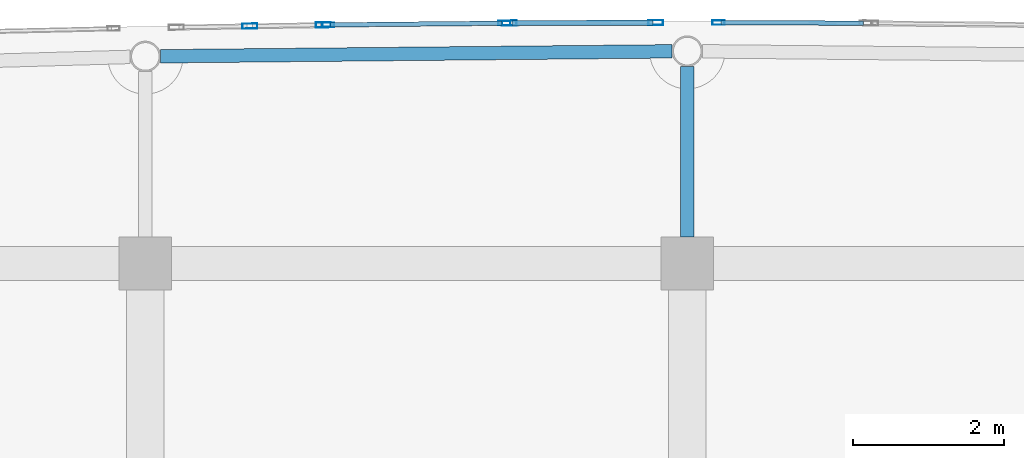
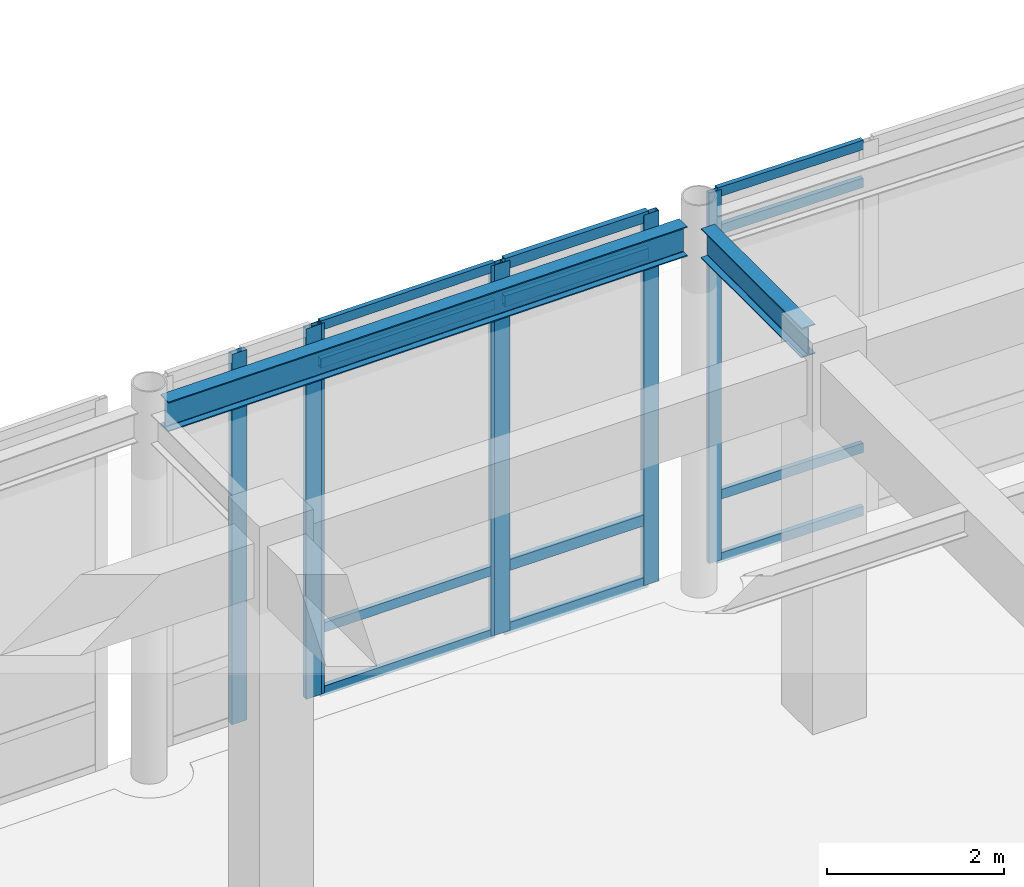
# One storey, part 44 of 102: 19 members, 2 beams, 4 elements without a shape of their own.
"""IFC4 building model written with IfcOpenShell, lengths in metres."""

from ifc_helpers import new_model, si_unit, direction, frame, origin, origin_2d, place, context, subcontext, project, spatial, hollow_rectangle, i_section, extrude, material, layer, layer_set, material_profile, profile_set, type_object, element, aggregate, save


model = new_model("IFC4")

# Units and contexts
model_context = context("Model", 3, precision=1e-05, world=origin(), true_north=direction((0.0, 1.0)))
body_context = subcontext(model_context, "Body", "Model", "MODEL_VIEW")
ifc_project = project(units=[si_unit("LENGTHUNIT", "METRE"), si_unit("AREAUNIT", "SQUARE_METRE"), si_unit("VOLUMEUNIT", "CUBIC_METRE"), si_unit("PLANEANGLEUNIT", "RADIAN"), si_unit("MASSUNIT", "GRAM", prefix="KILO")], contexts=[model_context])

# Site, building, storey
site_placement = place(None, origin())
site = spatial("IfcSite", under=ifc_project, at=site_placement, CompositionType="ELEMENT")
building_placement = place(site_placement, origin())
building = spatial("IfcBuilding", under=site, at=building_placement, Name="Carrowvane Square Congress Hotel", CompositionType="ELEMENT")
storey_placement = place(building_placement, origin())
storey = spatial("IfcBuildingStorey", under=building, at=storey_placement, Name="L00", CompositionType="ELEMENT", Elevation=0.0)

# Beams
ifc_material_1 = material(Name="Steel S355", Category="steel")
ifc_material_profile_1 = material_profile(ifc_material_1, i_section(OverallWidth=0.1787109375, OverallDepth=0.409423828125, WebThickness=0.0087890625, FlangeThickness=0.014404296875, FilletRadius=0.01025390625, at=origin_2d()), Name="UKB 406x178x67")
ifc_profile_set_1 = profile_set([ifc_material_profile_1], Name="Steel S355")
beam_type = type_object("IfcBeamType", Name="BM-ST-UKB406", PredefinedType="BEAM", material=ifc_profile_set_1)
beam_1_placement = place(storey_placement, frame((91.003173828125, 116.15185546875, 4.895263671875), z_axis=(0.999952581816, 0.009738281154, 0.0), x_axis=(-0.009738281154, 0.999952581816, 0.0)))
element("IfcBeam", 1, at=beam_1_placement, inside=storey, type_object=beam_type, Name="L01 curved north spandrel", PredefinedType="BEAM", context=body_context, shape_type="SweptSolid", body=[
    extrude(i_section(OverallWidth=0.1787109375, OverallDepth=0.409423828125, WebThickness=0.0087890625, FlangeThickness=0.014404296875, FilletRadius=0.01025390625, at=origin_2d()), origin(), (0.0, 0.0, 1.0), 6.7939453125),
])
beam_2_placement = place(storey_placement, frame((98.0, 113.75, 4.895263671875), z_axis=(0.0, 1.0, 0.0), x_axis=(-1.0, 0.0, 0.0)))
element("IfcBeam", 2, at=beam_2_placement, inside=storey, type_object=beam_type, Name="L01 radial north beam 13", PredefinedType="BEAM", context=body_context, shape_type="SweptSolid", body=[
    extrude(i_section(OverallWidth=0.1787109375, OverallDepth=0.409423828125, WebThickness=0.0087890625, FlangeThickness=0.014404296875, FilletRadius=0.01025390625, at=origin_2d()), origin(), (0.0, 0.0, 1.0), 2.266845703125),
])

# Curtain wall, members
ifc_material_2 = material(Name="Anodised aluminium", Category="aluminium")
ifc_layer_1 = layer(ifc_material_2, 0.162109375)
ifc_layer_set_1 = layer_set([ifc_layer_1], Name="Anodised aluminium")
curtain_wall_type_1 = type_object("IfcCurtainWallType", Name="CW-SYS-1", PredefinedType="NOTDEFINED", material=ifc_layer_set_1)
curtain_wall_1_placement = place(storey_placement, origin())
curtain_wall_1 = element("IfcCurtainWall", 3, at=curtain_wall_1_placement, inside=storey, type_object=curtain_wall_type_1, Name="L00 unitised curtain wall 24", PredefinedType="NOTDEFINED")
ifc_material_3 = material(Name="Anodised aluminium", Category="aluminium")
ifc_material_profile_2 = material_profile(ifc_material_3, hollow_rectangle(XDim=0.06005859375, YDim=0.159912109375, WallThickness=0.00390625, at=origin_2d()), Name="CW-ML 60x160x4")
ifc_profile_set_2 = profile_set([ifc_material_profile_2], Name="Anodised aluminium")
member_type_1 = type_object("IfcMemberType", Name="CW-MUL-1", PredefinedType="MULLION", material=ifc_profile_set_2)
member_1_placement = place(storey_placement, frame((93.22998046875, 116.56884765625, 0.0), z_axis=(0.0, 0.0, 1.0), x_axis=(-0.009782905924, 0.999952146231, 0.0)))
member_1 = element("IfcMember", 4, at=member_1_placement, type_object=member_type_1, Name="CW-1 mullion 1", PredefinedType="MULLION", context=body_context, shape_type="SweptSolid", body=[
    extrude(hollow_rectangle(XDim=0.06005859375, YDim=0.159912109375, WallThickness=0.00390625, at=origin_2d()), origin(), (0.0, 0.0, 1.0), 5.10009765625),
])
member_2_placement = place(storey_placement, frame((95.570068359375, 116.591796875, 0.0), z_axis=(0.0, 0.0, 1.0), x_axis=(-0.009782905924, 0.999952146231, 0.0)))
member_2 = element("IfcMember", 5, at=member_2_placement, type_object=member_type_1, Name="CW-1 mullion 2", PredefinedType="MULLION", context=body_context, shape_type="SweptSolid", body=[
    extrude(hollow_rectangle(XDim=0.06005859375, YDim=0.159912109375, WallThickness=0.00390625, at=origin_2d()), origin(), (0.0, 0.0, 1.0), 5.10009765625),
])

# Curtain wall, member
ifc_material_4 = material(Name="Anodised aluminium", Category="aluminium")
ifc_layer_2 = layer(ifc_material_4, 0.18603515625)
ifc_layer_set_2 = layer_set([ifc_layer_2], Name="Anodised aluminium")
curtain_wall_type_2 = type_object("IfcCurtainWallType", Name="CW-SYS-3", PredefinedType="NOTDEFINED", material=ifc_layer_set_2)
curtain_wall_2_placement = place(storey_placement, origin())
curtain_wall_2 = element("IfcCurtainWall", 6, at=curtain_wall_2_placement, inside=storey, type_object=curtain_wall_type_2, Name="L00 unitised curtain wall 26", PredefinedType="NOTDEFINED")
member_3_placement = place(storey_placement, frame((98.414794921875, 116.5986328125, 0.0), z_axis=(0.0, 0.0, 1.0), x_axis=(0.003270307911, 0.999994652529, 0.0)))
member_3 = element("IfcMember", 7, at=member_3_placement, type_object=member_type_1, Name="CW-3 mullion 1", PredefinedType="MULLION", context=body_context, shape_type="SweptSolid", body=[
    extrude(hollow_rectangle(XDim=0.06005859375, YDim=0.159912109375, WallThickness=0.00390625, at=origin_2d()), origin(), (0.0, 0.0, 1.0), 5.10009765625),
])

# Curtain wall, members
ifc_material_5 = material(Name="Anodised aluminium", Category="aluminium")
ifc_layer_3 = layer(ifc_material_5, 0.24609375)
ifc_layer_set_3 = layer_set([ifc_layer_3], Name="Anodised aluminium")
curtain_wall_type_3 = type_object("IfcCurtainWallType", Name="CW-SYS-8", PredefinedType="NOTDEFINED", material=ifc_layer_set_3)
curtain_wall_3_placement = place(storey_placement, origin())
curtain_wall_3 = element("IfcCurtainWall", 8, at=curtain_wall_3_placement, inside=storey, type_object=curtain_wall_type_3, Name="L00 unitised curtain wall 23", PredefinedType="NOTDEFINED")
ifc_material_6 = material(Name="Anodised aluminium", Category="aluminium")
ifc_material_profile_3 = material_profile(ifc_material_6, hollow_rectangle(XDim=0.070068359375, YDim=0.199951171875, WallThickness=0.0048828125, at=origin_2d()), Name="CW-ML 70x200x5")
ifc_profile_set_3 = profile_set([ifc_material_profile_3], Name="Anodised aluminium")
member_type_2 = type_object("IfcMemberType", Name="CW-MUL-2", PredefinedType="MULLION", material=ifc_profile_set_3)
member_4_placement = place(storey_placement, frame((92.188720703125, 116.55224609375, 0.0), z_axis=(0.0, 0.0, 1.0), x_axis=(-0.016215981364, 0.99986851233, 0.0)))
member_4 = element("IfcMember", 9, at=member_4_placement, type_object=member_type_2, Name="CW-8 mullion 2", PredefinedType="MULLION", context=body_context, shape_type="SweptSolid", body=[
    extrude(hollow_rectangle(XDim=0.070068359375, YDim=0.199951171875, WallThickness=0.0048828125, at=origin_2d()), origin(), (0.0, 0.0, 1.0), 5.10009765625),
])
member_5_placement = place(storey_placement, frame((93.1650390625, 116.568115234375, 0.0), z_axis=(0.0, 0.0, 1.0), x_axis=(-0.016215981364, 0.99986851233, 0.0)))
member_5 = element("IfcMember", 10, at=member_5_placement, type_object=member_type_2, Name="CW-8 mullion 3", PredefinedType="MULLION", context=body_context, shape_type="SweptSolid", body=[
    extrude(hollow_rectangle(XDim=0.070068359375, YDim=0.199951171875, WallThickness=0.0048828125, at=origin_2d()), origin(), (0.0, 0.0, 1.0), 5.10009765625),
])
aggregate(curtain_wall_3, [member_4, member_5])

ifc_material_7 = material(Name="Anodised aluminium", Category="aluminium")
ifc_layer_4 = layer(ifc_material_7, 0.174072265625)
ifc_layer_set_4 = layer_set([ifc_layer_4], Name="Anodised aluminium")
curtain_wall_type_4 = type_object("IfcCurtainWallType", Name="CW-SYS-2", PredefinedType="NOTDEFINED", material=ifc_layer_set_4)
curtain_wall_4_placement = place(storey_placement, origin())
curtain_wall_4 = element("IfcCurtainWall", 11, at=curtain_wall_4_placement, inside=storey, type_object=curtain_wall_type_4, Name="L00 unitised curtain wall 25", PredefinedType="NOTDEFINED")
member_6_placement = place(storey_placement, frame((95.635009765625, 116.59228515625, 0.0), z_axis=(0.0, 0.0, 1.0), x_axis=(-0.003270307911, 0.999994652529, 0.0)))
member_6 = element("IfcMember", 12, at=member_6_placement, type_object=member_type_2, Name="CW-2 mullion 1", PredefinedType="MULLION", context=body_context, shape_type="SweptSolid", body=[
    extrude(hollow_rectangle(XDim=0.070068359375, YDim=0.199951171875, WallThickness=0.0048828125, at=origin_2d()), origin(), (0.0, 0.0, 1.0), 5.10009765625),
])
member_7_placement = place(storey_placement, frame((97.580078125, 116.5986328125, 0.0), z_axis=(0.0, 0.0, 1.0), x_axis=(-0.003270307911, 0.999994652529, 0.0)))
member_7 = element("IfcMember", 13, at=member_7_placement, type_object=member_type_2, Name="CW-2 mullion 2", PredefinedType="MULLION", context=body_context, shape_type="SweptSolid", body=[
    extrude(hollow_rectangle(XDim=0.070068359375, YDim=0.199951171875, WallThickness=0.0048828125, at=origin_2d()), origin(), (0.0, 0.0, 1.0), 5.10009765625),
])

# Member
ifc_material_8 = material(Name="Anodised aluminium", Category="aluminium")
ifc_material_profile_4 = material_profile(ifc_material_8, hollow_rectangle(XDim=0.06005859375, YDim=0.1298828125, WallThickness=0.00390625, at=origin_2d()), Name="CW-TR 60x130x4")
ifc_profile_set_4 = profile_set([ifc_material_profile_4], Name="Anodised aluminium")
member_type_3 = type_object("IfcMemberType", Name="CW-TRN-1", PredefinedType="USERDEFINED", material=ifc_profile_set_4)
member_8_placement = place(storey_placement, frame((93.260009765625, 116.5693359375, 0.030029296875), z_axis=(0.999952529794, 0.009743621395, 0.0), x_axis=(-0.009743621395, 0.999952529794, 0.0)))
member_8 = element("IfcMember", 14, at=member_8_placement, type_object=member_type_3, Name="CW-1 transom 1.1", ObjectType="TRANSOM", PredefinedType="USERDEFINED", context=body_context, shape_type="SweptSolid", body=[
    extrude(hollow_rectangle(XDim=0.06005859375, YDim=0.1298828125, WallThickness=0.00390625, at=origin_2d()), origin(), (0.0, 0.0, 1.0), 2.280029296875),
])

member_9_placement = place(storey_placement, frame((93.260009765625, 116.5693359375, 0.89990234375), z_axis=(0.999952529794, 0.009743621395, 0.0), x_axis=(-0.009743621395, 0.999952529794, 0.0)))
member_9 = element("IfcMember", 15, at=member_9_placement, type_object=member_type_3, Name="CW-1 transom 1.2", ObjectType="TRANSOM", PredefinedType="USERDEFINED", context=body_context, shape_type="SweptSolid", body=[
    extrude(hollow_rectangle(XDim=0.06005859375, YDim=0.1298828125, WallThickness=0.00390625, at=origin_2d()), origin(), (0.0, 0.0, 1.0), 2.280029296875),
])

member_10_placement = place(storey_placement, frame((93.260009765625, 116.5693359375, 4.550048828125), z_axis=(0.999952529794, 0.009743621395, 0.0), x_axis=(-0.009743621395, 0.999952529794, 0.0)))
member_10 = element("IfcMember", 16, at=member_10_placement, type_object=member_type_3, Name="CW-1 transom 1.3", ObjectType="TRANSOM", PredefinedType="USERDEFINED", context=body_context, shape_type="SweptSolid", body=[
    extrude(hollow_rectangle(XDim=0.06005859375, YDim=0.1298828125, WallThickness=0.00390625, at=origin_2d()), origin(), (0.0, 0.0, 1.0), 2.280029296875),
])

member_11_placement = place(storey_placement, frame((93.260009765625, 116.5693359375, 5.070068359375), z_axis=(0.999952529794, 0.009743621395, 0.0), x_axis=(-0.009743621395, 0.999952529794, 0.0)))
member_11 = element("IfcMember", 17, at=member_11_placement, type_object=member_type_3, Name="CW-1 transom 1.4", ObjectType="TRANSOM", PredefinedType="USERDEFINED", context=body_context, shape_type="SweptSolid", body=[
    extrude(hollow_rectangle(XDim=0.06005859375, YDim=0.1298828125, WallThickness=0.00390625, at=origin_2d()), origin(), (0.0, 0.0, 1.0), 2.280029296875),
])

aggregate(curtain_wall_1, [member_1, member_2, member_8, member_9, member_10, member_11])

member_12_placement = place(storey_placement, frame((98.44482421875, 116.5986328125, 0.030029296875), z_axis=(0.999994391408, -0.003349201878, 0.0), x_axis=(0.003349201878, 0.999994391408, 0.0)))
member_12 = element("IfcMember", 18, at=member_12_placement, type_object=member_type_3, Name="CW-3 transom 1.1", ObjectType="TRANSOM", PredefinedType="USERDEFINED", context=body_context, shape_type="SweptSolid", body=[
    extrude(hollow_rectangle(XDim=0.06005859375, YDim=0.1298828125, WallThickness=0.00390625, at=origin_2d()), origin(), (0.0, 0.0, 1.0), 1.895263671875),
])

member_13_placement = place(storey_placement, frame((98.44482421875, 116.5986328125, 0.89990234375), z_axis=(0.999994391408, -0.003349201878, 0.0), x_axis=(0.003349201878, 0.999994391408, 0.0)))
member_13 = element("IfcMember", 19, at=member_13_placement, type_object=member_type_3, Name="CW-3 transom 1.2", ObjectType="TRANSOM", PredefinedType="USERDEFINED", context=body_context, shape_type="SweptSolid", body=[
    extrude(hollow_rectangle(XDim=0.06005859375, YDim=0.1298828125, WallThickness=0.00390625, at=origin_2d()), origin(), (0.0, 0.0, 1.0), 1.895263671875),
])

member_14_placement = place(storey_placement, frame((98.44482421875, 116.5986328125, 4.550048828125), z_axis=(0.999994391408, -0.003349201878, 0.0), x_axis=(0.003349201878, 0.999994391408, 0.0)))
member_14 = element("IfcMember", 20, at=member_14_placement, type_object=member_type_3, Name="CW-3 transom 1.3", ObjectType="TRANSOM", PredefinedType="USERDEFINED", context=body_context, shape_type="SweptSolid", body=[
    extrude(hollow_rectangle(XDim=0.06005859375, YDim=0.1298828125, WallThickness=0.00390625, at=origin_2d()), origin(), (0.0, 0.0, 1.0), 1.895263671875),
])

member_15_placement = place(storey_placement, frame((98.44482421875, 116.5986328125, 5.070068359375), z_axis=(0.999994391408, -0.003349201878, 0.0), x_axis=(0.003349201878, 0.999994391408, 0.0)))
member_15 = element("IfcMember", 21, at=member_15_placement, type_object=member_type_3, Name="CW-3 transom 1.4", ObjectType="TRANSOM", PredefinedType="USERDEFINED", context=body_context, shape_type="SweptSolid", body=[
    extrude(hollow_rectangle(XDim=0.06005859375, YDim=0.1298828125, WallThickness=0.00390625, at=origin_2d()), origin(), (0.0, 0.0, 1.0), 1.895263671875),
])

aggregate(curtain_wall_2, [member_3, member_12, member_13, member_14, member_15])

ifc_material_9 = material(Name="Anodised aluminium", Category="aluminium")
ifc_material_profile_5 = material_profile(ifc_material_9, hollow_rectangle(XDim=0.070068359375, YDim=0.14990234375, WallThickness=0.0048828125, at=origin_2d()), Name="CW-TR 70x150x5")
ifc_profile_set_5 = profile_set([ifc_material_profile_5], Name="Anodised aluminium")
member_type_4 = type_object("IfcMemberType", Name="CW-TRN-2", PredefinedType="USERDEFINED", material=ifc_profile_set_5)
member_16_placement = place(storey_placement, frame((95.669921875, 116.59228515625, 0.034912109375), z_axis=(0.999994271018, 0.003384956522, 0.0), x_axis=(-0.003384956522, 0.999994271018, 0.0)))
member_16 = element("IfcMember", 22, at=member_16_placement, type_object=member_type_4, Name="CW-2 transom 1.1", ObjectType="TRANSOM", PredefinedType="USERDEFINED", context=body_context, shape_type="SweptSolid", body=[
    extrude(hollow_rectangle(XDim=0.070068359375, YDim=0.14990234375, WallThickness=0.0048828125, at=origin_2d()), origin(), (0.0, 0.0, 1.0), 1.875244140625),
])

member_17_placement = place(storey_placement, frame((95.669921875, 116.59228515625, 0.89990234375), z_axis=(0.999994271018, 0.003384956522, 0.0), x_axis=(-0.003384956522, 0.999994271018, 0.0)))
member_17 = element("IfcMember", 23, at=member_17_placement, type_object=member_type_4, Name="CW-2 transom 1.2", ObjectType="TRANSOM", PredefinedType="USERDEFINED", context=body_context, shape_type="SweptSolid", body=[
    extrude(hollow_rectangle(XDim=0.070068359375, YDim=0.14990234375, WallThickness=0.0048828125, at=origin_2d()), origin(), (0.0, 0.0, 1.0), 1.875244140625),
])

member_18_placement = place(storey_placement, frame((95.669921875, 116.59228515625, 4.550048828125), z_axis=(0.999994271018, 0.003384956522, 0.0), x_axis=(-0.003384956522, 0.999994271018, 0.0)))
member_18 = element("IfcMember", 24, at=member_18_placement, type_object=member_type_4, Name="CW-2 transom 1.3", ObjectType="TRANSOM", PredefinedType="USERDEFINED", context=body_context, shape_type="SweptSolid", body=[
    extrude(hollow_rectangle(XDim=0.070068359375, YDim=0.14990234375, WallThickness=0.0048828125, at=origin_2d()), origin(), (0.0, 0.0, 1.0), 1.875244140625),
])

member_19_placement = place(storey_placement, frame((95.669921875, 116.59228515625, 5.06494140625), z_axis=(0.999994271018, 0.003384956522, 0.0), x_axis=(-0.003384956522, 0.999994271018, 0.0)))
member_19 = element("IfcMember", 25, at=member_19_placement, type_object=member_type_4, Name="CW-2 transom 1.4", ObjectType="TRANSOM", PredefinedType="USERDEFINED", context=body_context, shape_type="SweptSolid", body=[
    extrude(hollow_rectangle(XDim=0.070068359375, YDim=0.14990234375, WallThickness=0.0048828125, at=origin_2d()), origin(), (0.0, 0.0, 1.0), 1.875244140625),
])

aggregate(curtain_wall_4, [member_6, member_7, member_16, member_17, member_18, member_19])

save(model, "model.ifc")
